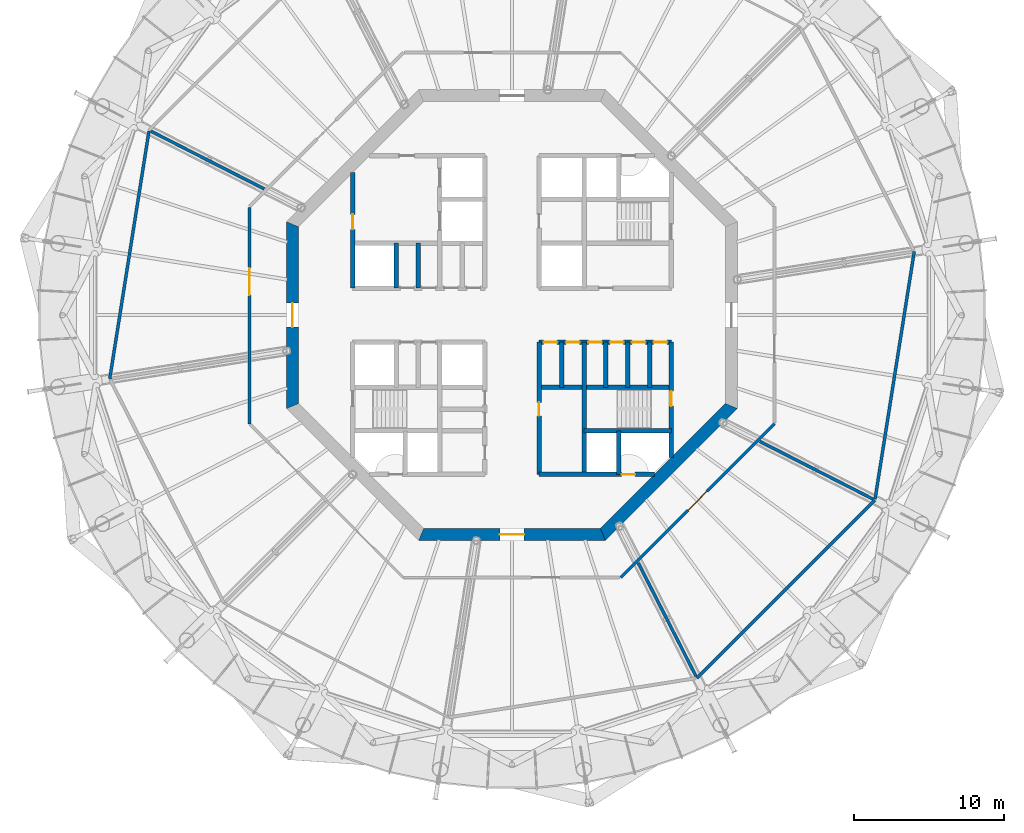
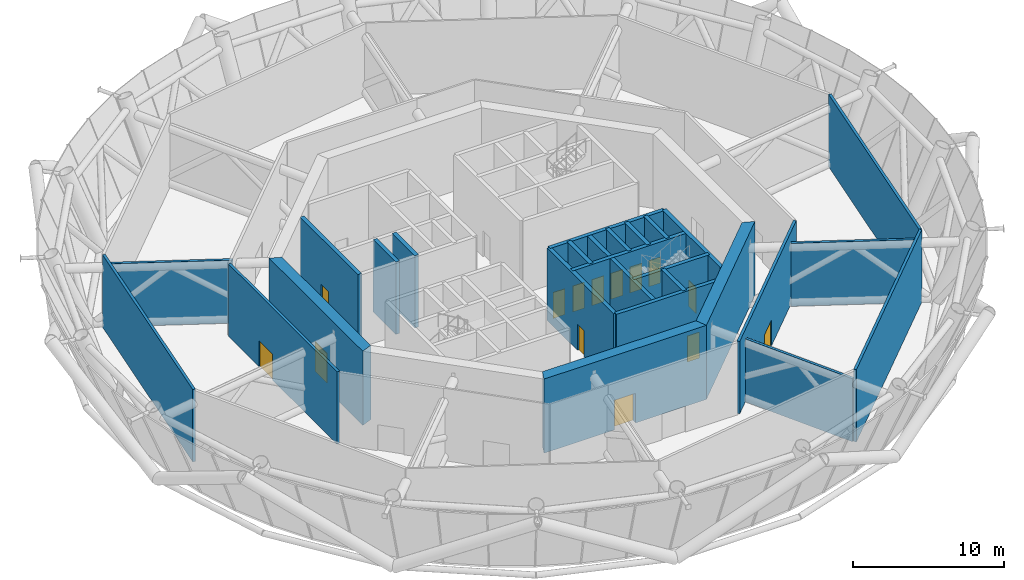
# One storey, part 8 of 20: 26 walls, 14 doors, 14 openings.
"""IFC4 building model written with IfcOpenShell, lengths in metres."""

from ifc_helpers import new_model, si_unit, direction, frame, frame_2d, origin, place, context, subcontext, project, spatial, polyline, rectangle, outline, extrude, material, layer, layer_set, type_object, element, fill, save


model = new_model("IFC4")

# Units and contexts
model_context = context("Model", 3, precision=1e-05, world=origin(), true_north=direction((0.0, 1.0)))
body_context = subcontext(model_context, "Body", "Model", "MODEL_VIEW")
ifc_project = project(units=[si_unit("LENGTHUNIT", "METRE"), si_unit("AREAUNIT", "SQUARE_METRE"), si_unit("VOLUMEUNIT", "CUBIC_METRE"), si_unit("PLANEANGLEUNIT", "RADIAN"), si_unit("MASSUNIT", "GRAM", prefix="KILO")], contexts=[model_context])

# Site, building, storey
site_placement = place(None, origin())
site = spatial("IfcSite", under=ifc_project, at=site_placement, CompositionType="ELEMENT")
building_placement = place(site_placement, origin())
building = spatial("IfcBuilding", under=site, at=building_placement, Name="Entoto Ring Tower", CompositionType="ELEMENT")
storey_placement = place(building_placement, frame((0.0, 0.0, 330.0)))
storey = spatial("IfcBuildingStorey", under=building, at=storey_placement, Name="L76", CompositionType="ELEMENT", Elevation=330.0)

# Wall, opening, door
ifc_material_1 = material(Name="Concrete C40/50", Category="concrete")
ifc_layer_1 = layer(ifc_material_1, 0.300048828125)
ifc_layer_set_1 = layer_set([ifc_layer_1], Name="Concrete C40/50")
wall_type_1 = type_object("IfcWallType", Name="Core enclosure wall 300 mm reinforced concrete", PredefinedType="SOLIDWALL", material=ifc_layer_set_1)
wall_1_placement = place(storey_placement, frame((100.60009765625, 70.518310546875, 0.0), z_axis=(0.0, 0.0, 1.0), x_axis=(0.0, 1.0, 0.0)))
wall_1 = element("IfcWall", 1, at=wall_1_placement, inside=storey, type_object=wall_type_1, Name="wall-L76-001", PredefinedType="SOLIDWALL", context=body_context, shape_type="SweptSolid", body=[
    extrude(rectangle(XDim=7.681640625, YDim=0.300048828125, at=frame_2d((3.8408203125, 0.0))), origin(), (0.0, 0.0, 1.0), 5.85009765625),
])
opening_1_placement = place(wall_1_placement, frame((3.431884765625, 0.0, 0.0)))
opening_1 = element("IfcOpeningElement", 2, at=opening_1_placement, cuts=wall_1, Name="Opening K-76", PredefinedType="OPENING", context=body_context, shape_type="SweptSolid", body=[
    extrude(rectangle(XDim=1.0, YDim=2.10009765625, at=frame_2d((0.5, 1.050048828125))), frame((0.0, 0.16015625, 0.0), z_axis=(0.0, -1.0, 0.0), x_axis=(1.0, 0.0, 0.0)), (0.0, 0.0, 1.0), 0.320068359375),
])
ifc_material_2 = material(Name="Steel door leaf, fire rated", Category="steel")
ifc_layer_2 = layer(ifc_material_2, 0.050048828125)
ifc_layer_set_2 = layer_set([ifc_layer_2], Name="Steel door leaf, fire rated")
door_type_1 = type_object("IfcDoorType", Name="Fire door FD60 1000 x 2100 single leaf", OperationType="NOTDEFINED", PredefinedType="DOOR", material=ifc_layer_set_2)
door_1_placement = place(opening_1_placement, origin())
door_1 = element("IfcDoor", 3, at=door_1_placement, inside=storey, type_object=door_type_1, Name="Door K-76", OperationType="SINGLE_SWING_RIGHT", OverallHeight=2.10009765625, OverallWidth=1.0, PredefinedType="DOOR", context=body_context, shape_type="SweptSolid", body=[
    extrude(rectangle(XDim=1.0, YDim=2.10009765625, at=frame_2d((0.5, 1.050048828125))), frame((0.0, 0.02490234375, 0.0), z_axis=(0.0, -1.0, 0.0), x_axis=(1.0, 0.0, 0.0)), (0.0, 0.0, 1.0), 0.050048828125),
])
fill(opening_1, door_1)

# Walls
for number, where, z_axis, x_axis, name in (
    (4, (99.14990234375, 75.199951171875, 0.0), (0.0, 0.0, 1.0), (0.0, 1.0, 0.0), "wall-L76-003"),
    (5, (97.699951171875, 75.199951171875, 0.0), (0.0, 0.0, 1.0), (0.0, 1.0, 0.0), "wall-L76-004"),
):
    element("IfcWall", number, at=place(storey_placement, frame(where, z_axis=z_axis, x_axis=x_axis)), inside=storey, type_object=wall_type_1, Name=name, PredefinedType="SOLIDWALL", context=body_context, shape_type="SweptSolid", body=[
        extrude(rectangle(XDim=3.0, YDim=0.300048828125, at=frame_2d((1.5, 0.0))), origin(), (0.0, 0.0, 1.0), 5.85009765625),
    ])
wall_2_placement = place(storey_placement, frame((97.10009765625, 69.39990234375, 0.0), z_axis=(0.0, 0.0, 1.0), x_axis=(0.0, 1.0, 0.0)))
element("IfcWall", 6, at=wall_2_placement, inside=storey, type_object=wall_type_1, Name="wall-L76-005", PredefinedType="SOLIDWALL", context=body_context, shape_type="SweptSolid", body=[
    extrude(rectangle(XDim=2.900146484375, YDim=0.300048828125, at=frame_2d((1.4501953125, 0.0))), origin(), (0.0, 0.0, 1.0), 5.85009765625),
])
wall_3_placement = place(storey_placement, frame((96.25, 75.199951171875, 0.0), z_axis=(0.0, 0.0, 1.0), x_axis=(0.0, 1.0, 0.0)))
element("IfcWall", 7, at=wall_3_placement, inside=storey, type_object=wall_type_1, Name="wall-L76-007", PredefinedType="SOLIDWALL", context=body_context, shape_type="SweptSolid", body=[
    extrude(rectangle(XDim=3.0, YDim=0.300048828125, at=frame_2d((1.5, 0.0))), origin(), (0.0, 0.0, 1.0), 5.85009765625),
])
wall_4_placement = place(storey_placement, frame((94.800048828125, 69.39990234375, 0.0), z_axis=(0.0, 0.0, 1.0), x_axis=(0.0, 1.0, 0.0)))
element("IfcWall", 8, at=wall_4_placement, inside=storey, type_object=wall_type_1, Name="wall-L76-008", PredefinedType="SOLIDWALL", context=body_context, shape_type="SweptSolid", body=[
    extrude(rectangle(XDim=8.800048828125, YDim=0.300048828125, at=frame_2d((4.39990234375, 0.0))), origin(), (0.0, 0.0, 1.0), 5.85009765625),
])
wall_5_placement = place(storey_placement, frame((93.300048828125, 75.199951171875, 0.0), z_axis=(0.0, 0.0, 1.0), x_axis=(0.0, 1.0, 0.0)))
element("IfcWall", 9, at=wall_5_placement, inside=storey, type_object=wall_type_1, Name="wall-L76-010", PredefinedType="SOLIDWALL", context=body_context, shape_type="SweptSolid", body=[
    extrude(rectangle(XDim=3.0, YDim=0.300048828125, at=frame_2d((1.5, 0.0))), origin(), (0.0, 0.0, 1.0), 5.85009765625),
])

# Wall, opening, door
wall_6_placement = place(storey_placement, frame((91.800048828125, 69.39990234375, 0.0), z_axis=(0.0, 0.0, 1.0), x_axis=(0.0, 1.0, 0.0)))
wall_6 = element("IfcWall", 10, at=wall_6_placement, inside=storey, type_object=wall_type_1, Name="wall-L76-011", PredefinedType="SOLIDWALL", context=body_context, shape_type="SweptSolid", body=[
    extrude(rectangle(XDim=8.800048828125, YDim=0.300048828125, at=frame_2d((4.39990234375, 0.0))), origin(), (0.0, 0.0, 1.0), 5.85009765625),
])
opening_2_placement = place(wall_6_placement, frame((3.89990234375, 0.0, 0.0)))
opening_2 = element("IfcOpeningElement", 11, at=opening_2_placement, cuts=wall_6, Name="Opening K-15", PredefinedType="OPENING", context=body_context, shape_type="SweptSolid", body=[
    extrude(rectangle(XDim=0.89990234375, YDim=2.10009765625, at=frame_2d((0.449951171875, 1.050048828125))), frame((0.0, 0.16015625, 0.0), z_axis=(0.0, -1.0, 0.0), x_axis=(1.0, 0.0, 0.0)), (0.0, 0.0, 1.0), 0.320068359375),
])
ifc_material_3 = material(Name="Steel door leaf, fire rated", Category="steel")
ifc_layer_3 = layer(ifc_material_3, 0.050048828125)
ifc_layer_set_3 = layer_set([ifc_layer_3], Name="Steel door leaf, fire rated")
door_type_2 = type_object("IfcDoorType", Name="Core door 900 x 2100 single leaf", OperationType="NOTDEFINED", PredefinedType="DOOR", material=ifc_layer_set_3)
door_2_placement = place(opening_2_placement, frame((0.89990234375, 0.0, 0.0), z_axis=(0.0, 0.0, 1.0), x_axis=(-1.0, 0.0, 0.0)))
door_2 = element("IfcDoor", 12, at=door_2_placement, inside=storey, type_object=door_type_2, Name="Door K-15", OperationType="SINGLE_SWING_LEFT", OverallHeight=2.10009765625, OverallWidth=0.89990234375, PredefinedType="DOOR", context=body_context, shape_type="SweptSolid", body=[
    extrude(rectangle(XDim=0.89990234375, YDim=2.10009765625, at=frame_2d((0.449951171875, 1.050048828125))), frame((0.0, 0.02490234375, 0.0), z_axis=(0.0, -1.0, 0.0), x_axis=(1.0, 0.0, 0.0)), (0.0, 0.0, 1.0), 0.050048828125),
])
fill(opening_2, door_2)

# Walls
for number, where, z_axis, x_axis, name in (
    (13, (83.75, 81.800048828125, 0.0), (0.0, 0.0, 1.0), (0.0, 1.0, 0.0), "wall-L76-019"),
    (14, (82.300048828125, 81.800048828125, 0.0), (0.0, 0.0, 1.0), (0.0, 1.0, 0.0), "wall-L76-022"),
):
    element("IfcWall", number, at=place(storey_placement, frame(where, z_axis=z_axis, x_axis=x_axis)), inside=storey, type_object=wall_type_1, Name=name, PredefinedType="SOLIDWALL", context=body_context, shape_type="SweptSolid", body=[
        extrude(rectangle(XDim=3.0, YDim=0.300048828125, at=frame_2d((1.5, 0.0))), origin(), (0.0, 0.0, 1.0), 5.85009765625),
    ])

# Wall, opening, door
wall_7_placement = place(storey_placement, frame((79.39990234375, 81.800048828125, 0.0), z_axis=(0.0, 0.0, 1.0), x_axis=(0.0, 1.0, 0.0)))
wall_7 = element("IfcWall", 15, at=wall_7_placement, inside=storey, type_object=wall_type_1, Name="wall-L76-024", PredefinedType="SOLIDWALL", context=body_context, shape_type="SweptSolid", body=[
    extrude(rectangle(XDim=7.681640625, YDim=0.300048828125, at=frame_2d((3.8408203125, 0.0))), origin(), (0.0, 0.0, 1.0), 5.85009765625),
])
opening_3_placement = place(wall_7_placement, frame((3.89990234375, 0.0, 0.0)))
opening_3 = element("IfcOpeningElement", 16, at=opening_3_placement, cuts=wall_7, Name="Opening K-29", PredefinedType="OPENING", context=body_context, shape_type="SweptSolid", body=[
    extrude(rectangle(XDim=1.0, YDim=2.10009765625, at=frame_2d((0.5, 1.050048828125))), frame((0.0, 0.16015625, 0.0), z_axis=(0.0, -1.0, 0.0), x_axis=(1.0, 0.0, 0.0)), (0.0, 0.0, 1.0), 0.320068359375),
])
door_3_placement = place(opening_3_placement, frame((1.0, 0.0, 0.0), z_axis=(0.0, 0.0, 1.0), x_axis=(-1.0, 0.0, 0.0)))
door_3 = element("IfcDoor", 17, at=door_3_placement, inside=storey, type_object=door_type_1, Name="Door K-29", OperationType="SINGLE_SWING_LEFT", OverallHeight=2.10009765625, OverallWidth=1.0, PredefinedType="DOOR", context=body_context, shape_type="SweptSolid", body=[
    extrude(rectangle(XDim=1.0, YDim=2.10009765625, at=frame_2d((0.5, 1.050048828125))), frame((0.0, 0.02490234375, 0.0), z_axis=(0.0, -1.0, 0.0), x_axis=(1.0, 0.0, 0.0)), (0.0, 0.0, 1.0), 0.050048828125),
])
fill(opening_3, door_3)

wall_8_placement = place(storey_placement, frame((91.800048828125, 69.39990234375, 0.0), z_axis=(0.0, 0.0, 1.0), x_axis=(1.0, 0.0, 0.0)))
wall_8 = element("IfcWall", 18, at=wall_8_placement, inside=storey, type_object=wall_type_1, Name="wall-L76-026", PredefinedType="SOLIDWALL", context=body_context, shape_type="SweptSolid", body=[
    extrude(rectangle(XDim=7.681640625, YDim=0.300048828125, at=frame_2d((3.8408203125, 0.0))), origin(), (0.0, 0.0, 1.0), 5.85009765625),
])
opening_4_placement = place(wall_8_placement, frame((5.5, 0.0, 0.0)))
opening_4 = element("IfcOpeningElement", 19, at=opening_4_placement, cuts=wall_8, Name="Opening K-82", PredefinedType="OPENING", context=body_context, shape_type="SweptSolid", body=[
    extrude(rectangle(XDim=0.89990234375, YDim=2.10009765625, at=frame_2d((0.449951171875, 1.050048828125))), frame((0.0, 0.16015625, 0.0), z_axis=(0.0, -1.0, 0.0), x_axis=(1.0, 0.0, 0.0)), (0.0, 0.0, 1.0), 0.320068359375),
])
ifc_material_4 = material(Name="Steel door leaf, fire rated", Category="steel")
ifc_layer_4 = layer(ifc_material_4, 0.050048828125)
ifc_layer_set_4 = layer_set([ifc_layer_4], Name="Steel door leaf, fire rated")
door_type_3 = type_object("IfcDoorType", Name="Riser door FD60 900 x 2100 single leaf", OperationType="NOTDEFINED", PredefinedType="DOOR", material=ifc_layer_set_4)
door_4_placement = place(opening_4_placement, origin())
door_4 = element("IfcDoor", 20, at=door_4_placement, inside=storey, type_object=door_type_3, Name="Door K-82", OperationType="SINGLE_SWING_LEFT", OverallHeight=2.10009765625, OverallWidth=0.89990234375, PredefinedType="DOOR", context=body_context, shape_type="SweptSolid", body=[
    extrude(rectangle(XDim=0.89990234375, YDim=2.10009765625, at=frame_2d((0.449951171875, 1.050048828125))), frame((0.0, 0.02490234375, 0.0), z_axis=(0.0, -1.0, 0.0), x_axis=(1.0, 0.0, 0.0)), (0.0, 0.0, 1.0), 0.050048828125),
])
fill(opening_4, door_4)

# Walls
wall_9_placement = place(storey_placement, frame((94.800048828125, 72.300048828125, 0.0), z_axis=(0.0, 0.0, 1.0), x_axis=(1.0, 0.0, 0.0)))
element("IfcWall", 21, at=wall_9_placement, inside=storey, type_object=wall_type_1, Name="wall-L76-028", PredefinedType="SOLIDWALL", context=body_context, shape_type="SweptSolid", body=[
    extrude(rectangle(XDim=5.800048828125, YDim=0.300048828125, at=frame_2d((2.89990234375, 0.0))), origin(), (0.0, 0.0, 1.0), 5.85009765625),
])
wall_10_placement = place(storey_placement, frame((91.800048828125, 75.199951171875, 0.0), z_axis=(0.0, 0.0, 1.0), x_axis=(1.0, 0.0, 0.0)))
element("IfcWall", 22, at=wall_10_placement, inside=storey, type_object=wall_type_1, Name="wall-L76-031", PredefinedType="SOLIDWALL", context=body_context, shape_type="SweptSolid", body=[
    extrude(rectangle(XDim=8.800048828125, YDim=0.300048828125, at=frame_2d((4.39990234375, 0.0))), origin(), (0.0, 0.0, 1.0), 5.85009765625),
])

# Wall, openings, doors
wall_11_placement = place(storey_placement, frame((91.800048828125, 78.199951171875, 0.0), z_axis=(0.0, 0.0, 1.0), x_axis=(1.0, 0.0, 0.0)))
wall_11 = element("IfcWall", 23, at=wall_11_placement, inside=storey, type_object=wall_type_1, Name="wall-L76-033", PredefinedType="SOLIDWALL", context=body_context, shape_type="SweptSolid", body=[
    extrude(rectangle(XDim=8.800048828125, YDim=0.300048828125, at=frame_2d((4.39990234375, 0.0))), origin(), (0.0, 0.0, 1.0), 5.85009765625),
])
opening_5_placement = place(wall_11_placement, frame((3.27490234375, 0.0, 0.0)))
opening_5 = element("IfcOpeningElement", 24, at=opening_5_placement, cuts=wall_11, Name="Opening K-08", PredefinedType="OPENING", context=body_context, shape_type="SweptSolid", body=[
    extrude(rectangle(XDim=0.89990234375, YDim=2.10009765625, at=frame_2d((0.449951171875, 1.050048828125))), frame((0.0, 0.16015625, 0.0), z_axis=(0.0, -1.0, 0.0), x_axis=(1.0, 0.0, 0.0)), (0.0, 0.0, 1.0), 0.320068359375),
])
opening_6_placement = place(wall_11_placement, frame((4.72509765625, 0.0, 0.0)))
opening_6 = element("IfcOpeningElement", 25, at=opening_6_placement, cuts=wall_11, Name="Opening K-09", PredefinedType="OPENING", context=body_context, shape_type="SweptSolid", body=[
    extrude(rectangle(XDim=0.89990234375, YDim=2.10009765625, at=frame_2d((0.449951171875, 1.050048828125))), frame((0.0, 0.16015625, 0.0), z_axis=(0.0, -1.0, 0.0), x_axis=(1.0, 0.0, 0.0)), (0.0, 0.0, 1.0), 0.320068359375),
])
opening_7_placement = place(wall_11_placement, frame((6.175048828125, 0.0, 0.0)))
opening_7 = element("IfcOpeningElement", 26, at=opening_7_placement, cuts=wall_11, Name="Opening K-10", PredefinedType="OPENING", context=body_context, shape_type="SweptSolid", body=[
    extrude(rectangle(XDim=0.89990234375, YDim=2.10009765625, at=frame_2d((0.449951171875, 1.050048828125))), frame((0.0, 0.16015625, 0.0), z_axis=(0.0, -1.0, 0.0), x_axis=(1.0, 0.0, 0.0)), (0.0, 0.0, 1.0), 0.320068359375),
])
opening_8_placement = place(wall_11_placement, frame((7.625, 0.0, 0.0)))
opening_8 = element("IfcOpeningElement", 27, at=opening_8_placement, cuts=wall_11, Name="Opening K-11", PredefinedType="OPENING", context=body_context, shape_type="SweptSolid", body=[
    extrude(rectangle(XDim=0.89990234375, YDim=2.10009765625, at=frame_2d((0.449951171875, 1.050048828125))), frame((0.0, 0.16015625, 0.0), z_axis=(0.0, -1.0, 0.0), x_axis=(1.0, 0.0, 0.0)), (0.0, 0.0, 1.0), 0.320068359375),
])
opening_9_placement = place(wall_11_placement, frame((0.300048828125, 0.0, 0.0)))
opening_9 = element("IfcOpeningElement", 28, at=opening_9_placement, cuts=wall_11, Name="Opening K-21", PredefinedType="OPENING", context=body_context, shape_type="SweptSolid", body=[
    extrude(rectangle(XDim=0.89990234375, YDim=2.10009765625, at=frame_2d((0.449951171875, 1.050048828125))), frame((0.0, 0.16015625, 0.0), z_axis=(0.0, -1.0, 0.0), x_axis=(1.0, 0.0, 0.0)), (0.0, 0.0, 1.0), 0.320068359375),
])
opening_10_placement = place(wall_11_placement, frame((1.800048828125, 0.0, 0.0)))
opening_10 = element("IfcOpeningElement", 29, at=opening_10_placement, cuts=wall_11, Name="Opening K-69", PredefinedType="OPENING", context=body_context, shape_type="SweptSolid", body=[
    extrude(rectangle(XDim=0.89990234375, YDim=2.10009765625, at=frame_2d((0.449951171875, 1.050048828125))), frame((0.0, 0.16015625, 0.0), z_axis=(0.0, -1.0, 0.0), x_axis=(1.0, 0.0, 0.0)), (0.0, 0.0, 1.0), 0.320068359375),
])
door_5_placement = place(opening_5_placement, frame((0.89990234375, 0.0, 0.0), z_axis=(0.0, 0.0, 1.0), x_axis=(-1.0, 0.0, 0.0)))
door_5 = element("IfcDoor", 30, at=door_5_placement, inside=storey, type_object=door_type_2, Name="Door K-08", OperationType="SINGLE_SWING_LEFT", OverallHeight=2.10009765625, OverallWidth=0.89990234375, PredefinedType="DOOR", context=body_context, shape_type="SweptSolid", body=[
    extrude(rectangle(XDim=0.89990234375, YDim=2.10009765625, at=frame_2d((0.449951171875, 1.050048828125))), frame((0.0, 0.02490234375, 0.0), z_axis=(0.0, -1.0, 0.0), x_axis=(1.0, 0.0, 0.0)), (0.0, 0.0, 1.0), 0.050048828125),
])
fill(opening_5, door_5)
door_6_placement = place(opening_6_placement, frame((0.89990234375, 0.0, 0.0), z_axis=(0.0, 0.0, 1.0), x_axis=(-1.0, 0.0, 0.0)))
door_6 = element("IfcDoor", 31, at=door_6_placement, inside=storey, type_object=door_type_2, Name="Door K-09", OperationType="SINGLE_SWING_RIGHT", OverallHeight=2.10009765625, OverallWidth=0.89990234375, PredefinedType="DOOR", context=body_context, shape_type="SweptSolid", body=[
    extrude(rectangle(XDim=0.89990234375, YDim=2.10009765625, at=frame_2d((0.449951171875, 1.050048828125))), frame((0.0, 0.02490234375, 0.0), z_axis=(0.0, -1.0, 0.0), x_axis=(1.0, 0.0, 0.0)), (0.0, 0.0, 1.0), 0.050048828125),
])
fill(opening_6, door_6)
door_7_placement = place(opening_7_placement, frame((0.89990234375, 0.0, 0.0), z_axis=(0.0, 0.0, 1.0), x_axis=(-1.0, 0.0, 0.0)))
door_7 = element("IfcDoor", 32, at=door_7_placement, inside=storey, type_object=door_type_2, Name="Door K-10", OperationType="SINGLE_SWING_RIGHT", OverallHeight=2.10009765625, OverallWidth=0.89990234375, PredefinedType="DOOR", context=body_context, shape_type="SweptSolid", body=[
    extrude(rectangle(XDim=0.89990234375, YDim=2.10009765625, at=frame_2d((0.449951171875, 1.050048828125))), frame((0.0, 0.02490234375, 0.0), z_axis=(0.0, -1.0, 0.0), x_axis=(1.0, 0.0, 0.0)), (0.0, 0.0, 1.0), 0.050048828125),
])
fill(opening_7, door_7)
door_8_placement = place(opening_8_placement, frame((0.89990234375, 0.0, 0.0), z_axis=(0.0, 0.0, 1.0), x_axis=(-1.0, 0.0, 0.0)))
door_8 = element("IfcDoor", 33, at=door_8_placement, inside=storey, type_object=door_type_2, Name="Door K-11", OperationType="SINGLE_SWING_RIGHT", OverallHeight=2.10009765625, OverallWidth=0.89990234375, PredefinedType="DOOR", context=body_context, shape_type="SweptSolid", body=[
    extrude(rectangle(XDim=0.89990234375, YDim=2.10009765625, at=frame_2d((0.449951171875, 1.050048828125))), frame((0.0, 0.02490234375, 0.0), z_axis=(0.0, -1.0, 0.0), x_axis=(1.0, 0.0, 0.0)), (0.0, 0.0, 1.0), 0.050048828125),
])
fill(opening_8, door_8)
door_9_placement = place(opening_9_placement, frame((0.89990234375, 0.0, 0.0), z_axis=(0.0, 0.0, 1.0), x_axis=(-1.0, 0.0, 0.0)))
door_9 = element("IfcDoor", 34, at=door_9_placement, inside=storey, type_object=door_type_2, Name="Door K-21", OperationType="SINGLE_SWING_RIGHT", OverallHeight=2.10009765625, OverallWidth=0.89990234375, PredefinedType="DOOR", context=body_context, shape_type="SweptSolid", body=[
    extrude(rectangle(XDim=0.89990234375, YDim=2.10009765625, at=frame_2d((0.449951171875, 1.050048828125))), frame((0.0, 0.02490234375, 0.0), z_axis=(0.0, -1.0, 0.0), x_axis=(1.0, 0.0, 0.0)), (0.0, 0.0, 1.0), 0.050048828125),
])
fill(opening_9, door_9)
door_10_placement = place(opening_10_placement, frame((0.89990234375, 0.0, 0.0), z_axis=(0.0, 0.0, 1.0), x_axis=(-1.0, 0.0, 0.0)))
door_10 = element("IfcDoor", 35, at=door_10_placement, inside=storey, type_object=door_type_2, Name="Door K-69", OperationType="SINGLE_SWING_RIGHT", OverallHeight=2.10009765625, OverallWidth=0.89990234375, PredefinedType="DOOR", context=body_context, shape_type="SweptSolid", body=[
    extrude(rectangle(XDim=0.89990234375, YDim=2.10009765625, at=frame_2d((0.449951171875, 1.050048828125))), frame((0.0, 0.02490234375, 0.0), z_axis=(0.0, -1.0, 0.0), x_axis=(1.0, 0.0, 0.0)), (0.0, 0.0, 1.0), 0.050048828125),
])
fill(opening_10, door_10)

# Wall, opening, door
ifc_material_5 = material(Name="Concrete C40/50", Category="concrete")
ifc_layer_5 = layer(ifc_material_5, 0.800048828125)
ifc_layer_set_5 = layer_set([ifc_layer_5], Name="Concrete C40/50")
wall_type_2 = type_object("IfcWallType", Name="Core shear wall 800 mm reinforced concrete C40/50", PredefinedType="SHEAR", material=ifc_layer_set_5)
wall_12_placement = place(storey_placement, frame((75.39990234375, 86.047607421875, 0.0), z_axis=(0.0, 0.0, 1.0), x_axis=(0.0, -1.0, 0.0)))
wall_12 = element("IfcWall", 36, at=wall_12_placement, inside=storey, type_object=wall_type_2, Name="wall-L76-core-4", PredefinedType="SHEAR", context=body_context, shape_type="SweptSolid", body=[
    extrude(outline(polyline([(-0.165771484375, -0.39990234375), (12.260986328125, -0.39990234375), (11.929443359375, 0.39990234375), (0.165771484375, 0.39990234375), (-0.165771484375, -0.39990234375)])), origin(), (0.0, 0.0, 1.0), 6.0),
])
opening_11_placement = place(wall_12_placement, frame((5.24755859375, 0.0, 0.0)))
opening_11 = element("IfcOpeningElement", 37, at=opening_11_placement, cuts=wall_12, Name="Opening K-03", PredefinedType="OPENING", context=body_context, shape_type="SweptSolid", body=[
    extrude(rectangle(XDim=1.60009765625, YDim=2.39990234375, at=frame_2d((0.800048828125, 1.199951171875))), frame((0.0, 0.41015625, 0.0), z_axis=(0.0, -1.0, 0.0), x_axis=(1.0, 0.0, 0.0)), (0.0, 0.0, 1.0), 0.820068359375),
])
ifc_material_6 = material(Name="Steel door leaf, fire rated", Category="steel")
ifc_layer_6 = layer(ifc_material_6, 0.050048828125)
ifc_layer_set_6 = layer_set([ifc_layer_6], Name="Steel door leaf, fire rated")
door_type_4 = type_object("IfcDoorType", Name="Entrance door FD60 1600 x 2400 double leaf", OperationType="DOUBLE_DOOR_SINGLE_SWING", PredefinedType="DOOR", material=ifc_layer_set_6)
door_11_placement = place(opening_11_placement, origin())
door_11 = element("IfcDoor", 38, at=door_11_placement, inside=storey, type_object=door_type_4, Name="Entrance door K-03", OperationType="DOUBLE_DOOR_SINGLE_SWING", OverallHeight=2.39990234375, OverallWidth=1.60009765625, PredefinedType="DOOR", context=body_context, shape_type="SweptSolid", body=[
    extrude(rectangle(XDim=1.60009765625, YDim=2.39990234375, at=frame_2d((0.800048828125, 1.199951171875))), frame((0.0, 0.02490234375, 0.0), z_axis=(0.0, -1.0, 0.0), x_axis=(1.0, 0.0, 0.0)), (0.0, 0.0, 1.0), 0.050048828125),
])
fill(opening_11, door_11)

wall_13_placement = place(storey_placement, frame((83.952392578125, 65.39990234375, 0.0), z_axis=(0.0, 0.0, 1.0), x_axis=(1.0, 0.0, 0.0)))
wall_13 = element("IfcWall", 39, at=wall_13_placement, inside=storey, type_object=wall_type_2, Name="wall-L76-core-6", PredefinedType="SHEAR", context=body_context, shape_type="SweptSolid", body=[
    extrude(outline(polyline([(-0.165771484375, -0.39990234375), (12.260986328125, -0.39990234375), (11.929443359375, 0.39990234375), (0.165771484375, 0.39990234375), (-0.165771484375, -0.39990234375)])), origin(), (0.0, 0.0, 1.0), 6.0),
])
opening_12_placement = place(wall_13_placement, frame((5.24755859375, 0.0, 0.0)))
opening_12 = element("IfcOpeningElement", 40, at=opening_12_placement, cuts=wall_13, Name="Opening K-04", PredefinedType="OPENING", context=body_context, shape_type="SweptSolid", body=[
    extrude(rectangle(XDim=1.60009765625, YDim=2.39990234375, at=frame_2d((0.800048828125, 1.199951171875))), frame((0.0, 0.41015625, 0.0), z_axis=(0.0, -1.0, 0.0), x_axis=(1.0, 0.0, 0.0)), (0.0, 0.0, 1.0), 0.820068359375),
])
door_12_placement = place(opening_12_placement, origin())
door_12 = element("IfcDoor", 41, at=door_12_placement, inside=storey, type_object=door_type_4, Name="Entrance door K-04", OperationType="DOUBLE_DOOR_SINGLE_SWING", OverallHeight=2.39990234375, OverallWidth=1.60009765625, PredefinedType="DOOR", context=body_context, shape_type="SweptSolid", body=[
    extrude(rectangle(XDim=1.60009765625, YDim=2.39990234375, at=frame_2d((0.800048828125, 1.199951171875))), frame((0.0, 0.02490234375, 0.0), z_axis=(0.0, -1.0, 0.0), x_axis=(1.0, 0.0, 0.0)), (0.0, 0.0, 1.0), 0.050048828125),
])
fill(opening_12, door_12)

# Walls
wall_14_placement = place(storey_placement, frame((96.047607421875, 65.39990234375, 0.0), z_axis=(0.0, 0.0, 1.0), x_axis=(0.707106781187, 0.707106781187, 0.0)))
element("IfcWall", 42, at=wall_14_placement, inside=storey, type_object=wall_type_2, Name="wall-L76-core-7", PredefinedType="SHEAR", context=body_context, shape_type="SweptSolid", body=[
    extrude(outline(polyline([(-0.165771484375, -0.39990234375), (12.2607421875, -0.39990234375), (11.92919921875, 0.39990234375), (0.165771484375, 0.39990234375), (-0.165771484375, -0.39990234375)])), origin(), (0.0, 0.0, 1.0), 6.0),
])
ifc_material_7 = material(Name="Concrete C20/25", Category="concrete")
ifc_layer_7 = layer(ifc_material_7, 0.199951171875)
ifc_layer_set_7 = layer_set([ifc_layer_7], Name="Concrete C20/25")
wall_type_3 = type_object("IfcWallType", Name="Plant room wall 200 mm two-hour concrete", PredefinedType="PARTITIONING", material=ifc_layer_set_7)
wall_15_placement = place(storey_placement, frame((102.30322265625, 55.853759765625, 0.0), z_axis=(0.0, 0.0, 1.0), x_axis=(0.707106781187, 0.707106781187, 0.0)))
element("IfcWall", 43, at=wall_15_placement, inside=storey, type_object=wall_type_3, Name="partition-L76-008", PredefinedType="PARTITIONING", context=body_context, shape_type="SweptSolid", body=[
    extrude(rectangle(XDim=16.74853515625, YDim=0.199951171875, at=frame_2d((8.374267578125, 0.0))), origin(), (0.0, 0.0, 1.0), 5.85009765625),
])
for number, where, z_axis, x_axis, name in (
    (44, (63.233642578125, 75.7607421875, 0.0), (0.0, 0.0, 1.0), (0.156430529467, 0.987688963921, 0.0), "partition-L76-009"),
    (45, (114.155517578125, 67.754638671875, 0.0), (0.0, 0.0, 1.0), (0.156430529467, 0.987688963921, 0.0), "partition-L76-012"),
):
    element("IfcWall", number, at=place(storey_placement, frame(where, z_axis=z_axis, x_axis=x_axis)), inside=storey, type_object=wall_type_3, Name=name, PredefinedType="PARTITIONING", context=body_context, shape_type="SweptSolid", body=[
        extrude(rectangle(XDim=16.690185546875, YDim=0.199951171875, at=frame_2d((8.34521484375, 0.0))), origin(), (0.0, 0.0, 1.0), 5.85009765625),
    ])

# Wall, opening, door
wall_16_placement = place(storey_placement, frame((97.233154296875, 62.53759765625, 0.0), z_axis=(0.0, 0.0, 1.0), x_axis=(0.707106781187, 0.707106781187, 0.0)))
wall_16 = element("IfcWall", 46, at=wall_16_placement, inside=storey, type_object=wall_type_3, Name="partition-L76-016", PredefinedType="PARTITIONING", context=body_context, shape_type="SweptSolid", body=[
    extrude(rectangle(XDim=14.46630859375, YDim=0.199951171875, at=frame_2d((7.233154296875, 0.0))), origin(), (0.0, 0.0, 1.0), 5.85009765625),
])
opening_13_placement = place(wall_16_placement, frame((6.333251953125, 0.0, 0.0)))
opening_13 = element("IfcOpeningElement", 47, at=opening_13_placement, cuts=wall_16, Name="Opening A33-D09", PredefinedType="OPENING", context=body_context, shape_type="SweptSolid", body=[
    extrude(rectangle(XDim=1.800048828125, YDim=2.10009765625, at=frame_2d((0.89990234375, 1.050048828125))), frame((0.0, 0.10986328125, 0.0), z_axis=(0.0, -1.0, 0.0), x_axis=(1.0, 0.0, 0.0)), (0.0, 0.0, 1.0), 0.219970703125),
])
ifc_material_8 = material(Name="Fire-resisting steel door set", Category="steel")
door_type_5 = type_object("IfcDoorType", Name="Door 1800 x 2100 double leaf FD60 steel door", OperationType="DOUBLE_DOOR_SINGLE_SWING", PredefinedType="DOOR", material=ifc_material_8)
door_13_placement = place(opening_13_placement, frame((1.800048828125, 0.0, 0.0), z_axis=(0.0, 0.0, 1.0), x_axis=(-1.0, 0.0, 0.0)))
door_13 = element("IfcDoor", 48, at=door_13_placement, inside=storey, type_object=door_type_5, Name="Door A33-D09", OperationType="DOUBLE_DOOR_SINGLE_SWING", OverallHeight=2.10009765625, OverallWidth=1.800048828125, PredefinedType="DOOR", context=body_context, shape_type="SweptSolid", body=[
    extrude(rectangle(XDim=1.800048828125, YDim=2.10009765625, at=frame_2d((0.89990234375, 1.050048828125))), frame((0.0, 0.02490234375, 0.0), z_axis=(0.0, -1.0, 0.0), x_axis=(1.0, 0.0, 0.0)), (0.0, 0.0, 1.0), 0.050048828125),
])
fill(opening_13, door_13)

wall_17_placement = place(storey_placement, frame((72.53759765625, 72.766845703125, 0.0), z_axis=(0.0, 0.0, 1.0), x_axis=(0.0, 1.0, 0.0)))
wall_17 = element("IfcWall", 49, at=wall_17_placement, inside=storey, type_object=wall_type_3, Name="partition-L76-017", PredefinedType="PARTITIONING", context=body_context, shape_type="SweptSolid", body=[
    extrude(rectangle(XDim=14.395751953125, YDim=0.199951171875, at=frame_2d((7.19775390625, 0.0))), origin(), (0.0, 0.0, 1.0), 5.85009765625),
])
opening_14_placement = place(wall_17_placement, frame((8.56689453125, 0.0, 0.0)))
opening_14 = element("IfcOpeningElement", 50, at=opening_14_placement, cuts=wall_17, Name="Opening A33-D05", PredefinedType="OPENING", context=body_context, shape_type="SweptSolid", body=[
    extrude(rectangle(XDim=1.800048828125, YDim=2.10009765625, at=frame_2d((0.89990234375, 1.050048828125))), frame((0.0, 0.10986328125, 0.0), z_axis=(0.0, -1.0, 0.0), x_axis=(1.0, 0.0, 0.0)), (0.0, 0.0, 1.0), 0.219970703125),
])
door_14_placement = place(opening_14_placement, origin())
door_14 = element("IfcDoor", 51, at=door_14_placement, inside=storey, type_object=door_type_5, Name="Door A33-D05", OperationType="DOUBLE_DOOR_SINGLE_SWING", OverallHeight=2.10009765625, OverallWidth=1.800048828125, PredefinedType="DOOR", context=body_context, shape_type="SweptSolid", body=[
    extrude(rectangle(XDim=1.800048828125, YDim=2.10009765625, at=frame_2d((0.89990234375, 1.050048828125))), frame((0.0, 0.02490234375, 0.0), z_axis=(0.0, -1.0, 0.0), x_axis=(1.0, 0.0, 0.0)), (0.0, 0.0, 1.0), 0.050048828125),
])
fill(opening_14, door_14)

# Walls
ifc_material_9 = material(Name="Concrete C20/25", Category="concrete")
ifc_layer_8 = layer(ifc_material_9, 0.199951171875)
ifc_layer_set_8 = layer_set([ifc_layer_8], Name="Concrete C20/25")
wall_type_4 = type_object("IfcWallType", Name="Plant room wall 200 mm two-hour concrete, 5097 mm high", PredefinedType="PARTITIONING", material=ifc_layer_set_8)
for number, where, z_axis, x_axis, name in (
    (52, (73.517578125, 88.398193359375, 0.0), (0.0, 0.0, 1.0), (-0.891003392537, 0.453996645898, 0.0), "partition-L76-027"),
    (53, (102.24072265625, 55.976318359375, 0.0), (0.0, 0.0, 1.0), (-0.453996645898, 0.891003392537, 0.0), "partition-L76-029"),
    (54, (114.023681640625, 67.75927734375, 0.0), (0.0, 0.0, 1.0), (-0.891003392537, 0.453996645898, 0.0), "partition-L76-030"),
):
    element("IfcWall", number, at=place(storey_placement, frame(where, z_axis=z_axis, x_axis=x_axis)), inside=storey, type_object=wall_type_4, Name=name, PredefinedType="PARTITIONING", context=body_context, shape_type="SweptSolid", body=[
        extrude(rectangle(XDim=8.4638671875, YDim=0.199951171875, at=frame_2d((4.23193359375, 0.0))), origin(), (0.0, 0.0, 1.0), 5.096923828125),
    ])

save(model, "model.ifc")
